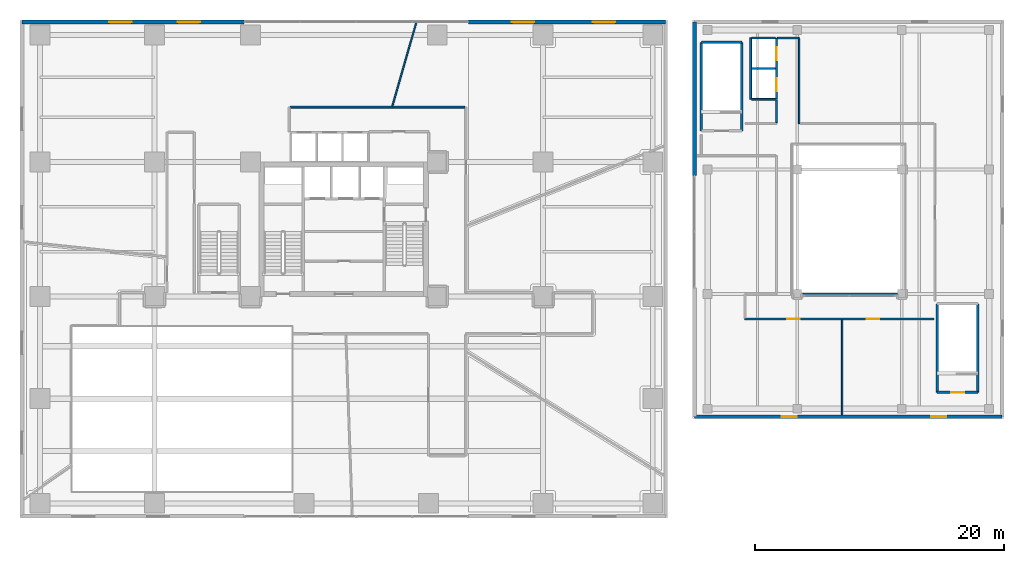
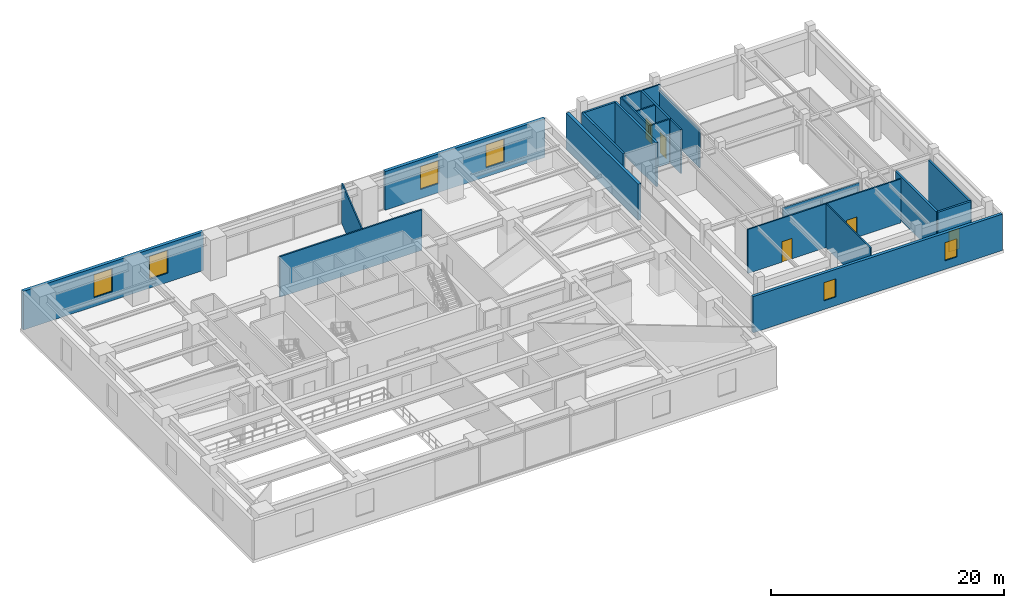
# One storey, part 20 of 25: 23 walls, 6 windows, 5 doors, 11 openings.
"""IFC4 building model written with IfcOpenShell, lengths in metres."""

from ifc_helpers import new_model, si_unit, direction, frame, frame_2d, origin, place, context, subcontext, project, spatial, rectangle, extrude, source, transform, mapped, material, layer, layer_set, type_object, type_shapes, element, fill, save


model = new_model("IFC4")

# Units and contexts
model_context = context("Model", 3, precision=1e-05, world=origin(), true_north=direction((0.0, 1.0)))
body_context = subcontext(model_context, "Body", "Model", "MODEL_VIEW")
ifc_project = project(units=[si_unit("LENGTHUNIT", "METRE"), si_unit("AREAUNIT", "SQUARE_METRE"), si_unit("VOLUMEUNIT", "CUBIC_METRE"), si_unit("PLANEANGLEUNIT", "RADIAN"), si_unit("MASSUNIT", "GRAM", prefix="KILO")], contexts=[model_context])

# Site, building, storey
site_placement = place(None, origin())
site = spatial("IfcSite", under=ifc_project, at=site_placement, CompositionType="ELEMENT")
building_placement = place(site_placement, origin())
building = spatial("IfcBuilding", under=site, at=building_placement, Name="Talar Marvaseh", CompositionType="ELEMENT")
storey_placement = place(building_placement, frame((0.0, 0.0, 14.39990234375)))
storey = spatial("IfcBuildingStorey", under=building, at=storey_placement, Name="L03", CompositionType="ELEMENT", Elevation=14.39990234375)

# Wall, openings, windows
ifc_material_1 = material(Name="Precast concrete C45/55", Category="concrete")
ifc_layer_1 = layer(ifc_material_1, 0.31005859375)
ifc_layer_set_1 = layer_set([ifc_layer_1], Name="Precast concrete C45/55")
wall_type_1 = type_object("IfcWallType", Name="Architectural Precast Limestone Podium Facade Wall 310", PredefinedType="SOLIDWALL", material=ifc_layer_set_1)
wall_1_placement = place(storey_placement, frame((0.159912109375, 47.840087890625, 0.0), z_axis=(0.0, 0.0, 1.0), x_axis=(1.0, 0.0, 0.0)))
wall_1 = element("IfcWall", 1, at=wall_1_placement, inside=storey, type_object=wall_type_1, Name="L03 Podium North-West Facade Wall", PredefinedType="SOLIDWALL", context=body_context, shape_type="SweptSolid", body=[
    extrude(rectangle(XDim=17.840087890625, YDim=0.31005859375, at=frame_2d((8.919921875, 0.0))), origin(), (0.0, 0.0, 1.0), 4.050048828125),
])
opening_1_placement = place(wall_1_placement, frame((7.0, 0.0, 0.949951171875)))
opening_1 = element("IfcOpeningElement", 2, at=opening_1_placement, cuts=wall_1, Name="Opening WN-POD18", PredefinedType="OPENING", context=body_context, shape_type="SweptSolid", body=[
    extrude(rectangle(XDim=1.800048828125, YDim=2.39990234375, at=frame_2d((0.89990234375, 1.199951171875))), frame((0.0, 0.1650390625, 0.0), z_axis=(0.0, -1.0, 0.0), x_axis=(1.0, 0.0, 0.0)), (0.0, 0.0, 1.0), 0.330078125),
])
opening_2_placement = place(wall_1_placement, frame((12.5, 0.0, 0.949951171875)))
opening_2 = element("IfcOpeningElement", 3, at=opening_2_placement, cuts=wall_1, Name="Opening WN-POD18", PredefinedType="OPENING", context=body_context, shape_type="SweptSolid", body=[
    extrude(rectangle(XDim=1.800048828125, YDim=2.39990234375, at=frame_2d((0.89990234375, 1.199951171875))), frame((0.0, 0.1650390625, 0.0), z_axis=(0.0, -1.0, 0.0), x_axis=(1.0, 0.0, 0.0)), (0.0, 0.0, 1.0), 0.330078125),
])
ifc_material_2 = material(Name="Laminated Low-E Solar Glass", Category="glass")
window_type_1 = type_object("IfcWindowType", Name="Podium Recessed Punched Solar Window 1800x2400", PartitioningType="SINGLE_PANEL", PredefinedType="WINDOW", material=ifc_material_2)
shared_shape_1 = source(origin(), body_context, "Body", "SweptSolid", [
    extrude(rectangle(XDim=1.800048828125, YDim=2.39990234375, at=frame_2d((0.89990234375, 1.199951171875))), frame((0.0, 0.030029296875, 0.0), z_axis=(0.0, -1.0, 0.0), x_axis=(1.0, 0.0, 0.0)), (0.0, 0.0, 1.0), 0.06005859375),
])
type_shapes(window_type_1, [shared_shape_1])
window_1_placement = place(opening_1_placement, origin())
window_1 = element("IfcWindow", 4, at=window_1_placement, inside=storey, type_object=window_type_1, Name="L03 Podium Solar Window", OverallHeight=2.39990234375, OverallWidth=1.800048828125, PartitioningType="SINGLE_PANEL", PredefinedType="WINDOW", context=body_context, shape_type="MappedRepresentation", body=[
    mapped(shared_shape_1, transform((0.0, 0.0, 0.0), x_axis=(1.0, 0.0, 0.0), y_axis=(0.0, 1.0, 0.0), z_axis=(0.0, 0.0, 1.0), scale=1.0)),
])
fill(opening_1, window_1)
window_2_placement = place(opening_2_placement, origin())
window_2 = element("IfcWindow", 5, at=window_2_placement, inside=storey, type_object=window_type_1, Name="L03 Podium Solar Window", OverallHeight=2.39990234375, OverallWidth=1.800048828125, PartitioningType="SINGLE_PANEL", PredefinedType="WINDOW", context=body_context, shape_type="MappedRepresentation", body=[
    mapped(shared_shape_1, transform((0.0, 0.0, 0.0), x_axis=(1.0, 0.0, 0.0), y_axis=(0.0, 1.0, 0.0), z_axis=(0.0, 0.0, 1.0), scale=1.0)),
])
fill(opening_2, window_2)

wall_2_placement = place(storey_placement, frame((36.0, 47.840087890625, 0.0), z_axis=(0.0, 0.0, 1.0), x_axis=(1.0, 0.0, 0.0)))
wall_2 = element("IfcWall", 6, at=wall_2_placement, inside=storey, type_object=wall_type_1, Name="L03 Podium North-East Facade Wall", PredefinedType="SOLIDWALL", context=body_context, shape_type="SweptSolid", body=[
    extrude(rectangle(XDim=15.840087890625, YDim=0.31005859375, at=frame_2d((7.919921875, 0.0))), origin(), (0.0, 0.0, 1.0), 4.050048828125),
])
opening_3_placement = place(wall_2_placement, frame((3.5, 0.0, 0.949951171875)))
opening_3 = element("IfcOpeningElement", 7, at=opening_3_placement, cuts=wall_2, Name="Opening WN-POD18", PredefinedType="OPENING", context=body_context, shape_type="SweptSolid", body=[
    extrude(rectangle(XDim=1.800048828125, YDim=2.39990234375, at=frame_2d((0.89990234375, 1.199951171875))), frame((0.0, 0.1650390625, 0.0), z_axis=(0.0, -1.0, 0.0), x_axis=(1.0, 0.0, 0.0)), (0.0, 0.0, 1.0), 0.330078125),
])
opening_4_placement = place(wall_2_placement, frame((10.0, 0.0, 0.949951171875)))
opening_4 = element("IfcOpeningElement", 8, at=opening_4_placement, cuts=wall_2, Name="Opening WN-POD18", PredefinedType="OPENING", context=body_context, shape_type="SweptSolid", body=[
    extrude(rectangle(XDim=1.800048828125, YDim=2.39990234375, at=frame_2d((0.89990234375, 1.199951171875))), frame((0.0, 0.1650390625, 0.0), z_axis=(0.0, -1.0, 0.0), x_axis=(1.0, 0.0, 0.0)), (0.0, 0.0, 1.0), 0.330078125),
])
window_3_placement = place(opening_3_placement, origin())
window_3 = element("IfcWindow", 9, at=window_3_placement, inside=storey, type_object=window_type_1, Name="L03 Podium Solar Window", OverallHeight=2.39990234375, OverallWidth=1.800048828125, PartitioningType="SINGLE_PANEL", PredefinedType="WINDOW", context=body_context, shape_type="MappedRepresentation", body=[
    mapped(shared_shape_1, transform((0.0, 0.0, 0.0), x_axis=(1.0, 0.0, 0.0), y_axis=(0.0, 1.0, 0.0), z_axis=(0.0, 0.0, 1.0), scale=1.0)),
])
fill(opening_3, window_3)
window_4_placement = place(opening_4_placement, origin())
window_4 = element("IfcWindow", 10, at=window_4_placement, inside=storey, type_object=window_type_1, Name="L03 Podium Solar Window", OverallHeight=2.39990234375, OverallWidth=1.800048828125, PartitioningType="SINGLE_PANEL", PredefinedType="WINDOW", context=body_context, shape_type="MappedRepresentation", body=[
    mapped(shared_shape_1, transform((0.0, 0.0, 0.0), x_axis=(1.0, 0.0, 0.0), y_axis=(0.0, 1.0, 0.0), z_axis=(0.0, 0.0, 1.0), scale=1.0)),
])
fill(opening_4, window_4)

# Walls
ifc_material_3 = material(Name="Gypsum Board Partition Assembly")
ifc_layer_2 = layer(ifc_material_3, 0.155029296875)
ifc_layer_set_2 = layer_set([ifc_layer_2], Name="Gypsum Board Partition Assembly")
wall_type_2 = type_object("IfcWallType", Name="Corridor Fire-Rated Acoustic Partition 155", PredefinedType="PARTITIONING", material=ifc_layer_set_2)
wall_3_placement = place(storey_placement, frame((21.68359375, 41.0, 0.0), z_axis=(0.0, 0.0, 1.0), x_axis=(1.0, 0.0, 0.0)))
element("IfcWall", 11, at=wall_3_placement, inside=storey, type_object=wall_type_2, Name="L03 Interior Partition Wall", PredefinedType="PARTITIONING", context=body_context, shape_type="SweptSolid", body=[
    extrude(rectangle(XDim=14.032958984375, YDim=0.155029296875, at=frame_2d((7.0166015625, 0.0))), origin(), (0.0, 0.0, 1.0), 4.25),
])
ifc_layer_3 = layer(ifc_material_3, 0.1201171875)
ifc_layer_set_3 = layer_set([ifc_layer_3], Name="Gypsum Board Partition Assembly")
wall_type_3 = type_object("IfcWallType", Name="Demountable Studio Room Partition 120", PredefinedType="PARTITIONING", material=ifc_layer_set_3)
wall_4_placement = place(storey_placement, frame((29.887939453125, 41.0625, 0.0), z_axis=(0.0, 0.0, 1.0), x_axis=(0.275863681282, 0.961196769319, 0.0)))
element("IfcWall", 12, at=wall_4_placement, inside=storey, type_object=wall_type_3, Name="L03 Interior Partition Wall", PredefinedType="PARTITIONING", context=body_context, shape_type="SweptSolid", body=[
    extrude(rectangle(XDim=7.026123046875, YDim=0.1201171875, at=frame_2d((3.51318359375, 0.0))), origin(), (0.0, 0.0, 1.0), 4.25),
])
wall_5_placement = place(storey_placement, frame((66.0, 23.93505859375, 0.0), z_axis=(0.0, 0.0, 1.0), x_axis=(0.0, -1.0, 0.0)))
element("IfcWall", 13, at=wall_5_placement, inside=storey, type_object=wall_type_3, Name="L03 Interior Partition Wall", PredefinedType="PARTITIONING", context=body_context, shape_type="SweptSolid", body=[
    extrude(rectangle(XDim=7.635009765625, YDim=0.1201171875, at=frame_2d((3.8173828125, 0.0))), origin(), (0.0, 0.0, 1.0), 4.60009765625),
])
ifc_layer_4 = layer(ifc_material_1, 0.14501953125)
ifc_layer_set_4 = layer_set([ifc_layer_4], Name="Precast concrete C45/55")
wall_type_4 = type_object("IfcWallType", Name="Fire-Rated Lift Divider Wall 145", PredefinedType="SOLIDWALL", material=ifc_layer_set_4)
wall_6_placement = place(storey_placement, frame((58.659912109375, 41.639892578125, 0.0), z_axis=(0.0, 0.0, 1.0), x_axis=(0.0, 1.0, 0.0)))
element("IfcWall", 14, at=wall_6_placement, inside=storey, type_object=wall_type_4, Name="L03 Market Lift Back Wall", PredefinedType="SOLIDWALL", context=body_context, shape_type="SweptSolid", body=[
    extrude(rectangle(XDim=4.920166015625, YDim=0.14501953125, at=frame_2d((2.4599609375, 0.0))), origin(), (0.0, 0.0, 1.0), 4.60009765625),
])
wall_7_placement = place(storey_placement, frame((58.738525390625, 44.10009765625, 0.0), z_axis=(0.0, 0.0, 1.0), x_axis=(1.0, 0.0, 0.0)))
element("IfcWall", 15, at=wall_7_placement, inside=storey, type_object=wall_type_4, Name="L03 Market Lift Divider", PredefinedType="SOLIDWALL", context=body_context, shape_type="SweptSolid", body=[
    extrude(rectangle(XDim=1.907958984375, YDim=0.14501953125, at=frame_2d((0.9541015625, 0.0))), origin(), (0.0, 0.0, 1.0), 4.60009765625),
])
for number, where, z_axis, x_axis, name in (
    (16, (58.739990234375, 41.639892578125, 0.0), (0.0, 0.0, 1.0), (1.0, 0.0, 0.0), "L03 Market Lift South End Wall"),
    (17, (58.739990234375, 46.56005859375, 0.0), (0.0, 0.0, 1.0), (1.0, 0.0, 0.0), "L03 Market Lift North End Wall"),
):
    element("IfcWall", number, at=place(storey_placement, frame(where, z_axis=z_axis, x_axis=x_axis)), inside=storey, type_object=wall_type_4, Name=name, PredefinedType="SOLIDWALL", context=body_context, shape_type="SweptSolid", body=[
        extrude(rectangle(XDim=1.909912109375, YDim=0.14501953125, at=frame_2d((0.955078125, 0.0))), origin(), (0.0, 0.0, 1.0), 4.60009765625),
    ])

# Wall, openings, doors
ifc_layer_5 = layer(ifc_material_1, 0.175048828125)
ifc_layer_set_5 = layer_set([ifc_layer_5], Name="Precast concrete C45/55")
wall_type_5 = type_object("IfcWallType", Name="Fire-Rated Lift Hoistway Enclosure Wall 175", PredefinedType="SOLIDWALL", material=ifc_layer_set_5)
wall_8_placement = place(storey_placement, frame((60.739990234375, 41.639892578125, 0.0), z_axis=(0.0, 0.0, 1.0), x_axis=(0.0, 1.0, 0.0)))
wall_8 = element("IfcWall", 18, at=wall_8_placement, inside=storey, type_object=wall_type_5, Name="L03 Market Lift Bank Front Wall", PredefinedType="SOLIDWALL", context=body_context, shape_type="SweptSolid", body=[
    extrude(rectangle(XDim=4.920166015625, YDim=0.175048828125, at=frame_2d((2.4599609375, 0.0))), origin(), (0.0, 0.0, 1.0), 4.60009765625),
])
opening_5_placement = place(wall_8_placement, frame((0.64990234375, 0.0, 0.0)))
opening_5 = element("IfcOpeningElement", 19, at=opening_5_placement, cuts=wall_8, Name="Opening LD-MHE1", PredefinedType="OPENING", context=body_context, shape_type="SweptSolid", body=[
    extrude(rectangle(XDim=1.050048828125, YDim=2.14990234375, at=frame_2d((0.52490234375, 1.074951171875))), frame((0.0, 0.09765625, 0.0), z_axis=(0.0, -1.0, 0.0), x_axis=(1.0, 0.0, 0.0)), (0.0, 0.0, 1.0), 0.195068359375),
])
opening_6_placement = place(wall_8_placement, frame((3.1201171875, 0.0, 0.0)))
opening_6 = element("IfcOpeningElement", 20, at=opening_6_placement, cuts=wall_8, Name="Opening LD-MHE2", PredefinedType="OPENING", context=body_context, shape_type="SweptSolid", body=[
    extrude(rectangle(XDim=1.050048828125, YDim=2.14990234375, at=frame_2d((0.52490234375, 1.074951171875))), frame((0.0, 0.09765625, 0.0), z_axis=(0.0, -1.0, 0.0), x_axis=(1.0, 0.0, 0.0)), (0.0, 0.0, 1.0), 0.195068359375),
])
ifc_material_4 = material(Name="Stainless Steel Grade 316", Category="steel")
door_type_1 = type_object("IfcDoorType", Name="Automatic Sliding Lift Landing Door 1050x2150", OperationType="NOTDEFINED", PredefinedType="DOOR", material=ifc_material_4)
shared_shape_2 = source(origin(), body_context, "Body", "SweptSolid", [
    extrude(rectangle(XDim=1.050048828125, YDim=2.14990234375, at=frame_2d((0.52490234375, 1.074951171875))), frame((0.0, 0.02490234375, 0.0), z_axis=(0.0, -1.0, 0.0), x_axis=(1.0, 0.0, 0.0)), (0.0, 0.0, 1.0), 0.050048828125),
])
type_shapes(door_type_1, [shared_shape_2])
door_1_placement = place(opening_5_placement, origin())
door_1 = element("IfcDoor", 21, at=door_1_placement, inside=storey, type_object=door_type_1, Name="L03 Lift MH-EL2 Sliding Landing Door", OperationType="SLIDING_TO_LEFT", OverallHeight=2.14990234375, OverallWidth=1.050048828125, PredefinedType="DOOR", context=body_context, shape_type="MappedRepresentation", body=[
    mapped(shared_shape_2, transform((0.0, 0.0, 0.0), x_axis=(1.0, 0.0, 0.0), y_axis=(0.0, 1.0, 0.0), z_axis=(0.0, 0.0, 1.0), scale=1.0)),
])
fill(opening_5, door_1)
door_2_placement = place(opening_6_placement, origin())
door_2 = element("IfcDoor", 22, at=door_2_placement, inside=storey, type_object=door_type_1, Name="L03 Lift MH-EL1 Sliding Landing Door", OperationType="SLIDING_TO_LEFT", OverallHeight=2.14990234375, OverallWidth=1.050048828125, PredefinedType="DOOR", context=body_context, shape_type="MappedRepresentation", body=[
    mapped(shared_shape_2, transform((0.0, 0.0, 0.0), x_axis=(1.0, 0.0, 0.0), y_axis=(0.0, 1.0, 0.0), z_axis=(0.0, 0.0, 1.0), scale=1.0)),
])
fill(opening_6, door_2)

ifc_layer_6 = layer(ifc_material_3, 0.135009765625)
ifc_layer_set_6 = layer_set([ifc_layer_6], Name="Gypsum Board Partition Assembly")
wall_type_6 = type_object("IfcWallType", Name="Gallery High-Acoustic Partition 135", PredefinedType="PARTITIONING", material=ifc_layer_set_6)
wall_9_placement = place(storey_placement, frame((73.3798828125, 24.0, 0.0), z_axis=(0.0, 0.0, 1.0), x_axis=(-1.0, 0.0, 0.0)))
wall_9 = element("IfcWall", 23, at=wall_9_placement, inside=storey, type_object=wall_type_6, Name="L03 Interior Partition Wall", PredefinedType="PARTITIONING", context=body_context, shape_type="SweptSolid", body=[
    extrude(rectangle(XDim=15.179931640625, YDim=0.135009765625, at=frame_2d((7.58984375, 0.0))), origin(), (0.0, 0.0, 1.0), 4.60009765625),
])
opening_7_placement = place(wall_9_placement, frame((10.780029296875, 0.0, 0.0)))
opening_7 = element("IfcOpeningElement", 24, at=opening_7_placement, cuts=wall_9, Name="Opening DR-RM100", PredefinedType="OPENING", context=body_context, shape_type="SweptSolid", body=[
    extrude(rectangle(XDim=1.0, YDim=2.14990234375, at=frame_2d((0.5, 1.074951171875))), frame((0.0, 0.07763671875, 0.0), z_axis=(0.0, -1.0, 0.0), x_axis=(1.0, 0.0, 0.0)), (0.0, 0.0, 1.0), 0.155029296875),
])
opening_8_placement = place(wall_9_placement, frame((4.3798828125, 0.0, 0.0)))
opening_8 = element("IfcOpeningElement", 25, at=opening_8_placement, cuts=wall_9, Name="Opening DR-RM100", PredefinedType="OPENING", context=body_context, shape_type="SweptSolid", body=[
    extrude(rectangle(XDim=1.0, YDim=2.14990234375, at=frame_2d((0.5, 1.074951171875))), frame((0.0, 0.07763671875, 0.0), z_axis=(0.0, -1.0, 0.0), x_axis=(1.0, 0.0, 0.0)), (0.0, 0.0, 1.0), 0.155029296875),
])
ifc_material_5 = material(Name="Acoustic Engineered Oak Timber", Category="wood")
door_type_2 = type_object("IfcDoorType", Name="Corridor Fire-Rated Gallery Door 1000x2150", OperationType="NOTDEFINED", PredefinedType="DOOR", material=ifc_material_5)
shared_shape_3 = source(origin(), body_context, "Body", "SweptSolid", [
    extrude(rectangle(XDim=1.0, YDim=2.14990234375, at=frame_2d((0.5, 1.074951171875))), frame((0.0, 0.02490234375, 0.0), z_axis=(0.0, -1.0, 0.0), x_axis=(1.0, 0.0, 0.0)), (0.0, 0.0, 1.0), 0.050048828125),
])
type_shapes(door_type_2, [shared_shape_3])
door_3_placement = place(opening_7_placement, origin())
door_3 = element("IfcDoor", 26, at=door_3_placement, inside=storey, type_object=door_type_2, Name="L03 Calligraphy Book Bazaar Door", OperationType="SINGLE_SWING_LEFT", OverallHeight=2.14990234375, OverallWidth=1.0, PredefinedType="DOOR", context=body_context, shape_type="MappedRepresentation", body=[
    mapped(shared_shape_3, transform((0.0, 0.0, 0.0), x_axis=(1.0, 0.0, 0.0), y_axis=(0.0, 1.0, 0.0), z_axis=(0.0, 0.0, 1.0), scale=1.0)),
])
fill(opening_7, door_3)
door_4_placement = place(opening_8_placement, origin())
door_4 = element("IfcDoor", 27, at=door_4_placement, inside=storey, type_object=door_type_2, Name="L03 WC Market Public and Accessible Toilets Door", OperationType="SINGLE_SWING_RIGHT", OverallHeight=2.14990234375, OverallWidth=1.0, PredefinedType="DOOR", context=body_context, shape_type="MappedRepresentation", body=[
    mapped(shared_shape_3, transform((0.0, 0.0, 0.0), x_axis=(1.0, 0.0, 0.0), y_axis=(0.0, 1.0, 0.0), z_axis=(0.0, 0.0, 1.0), scale=1.0)),
])
fill(opening_8, door_4)

# Walls
wall_10_placement = place(storey_placement, frame((60.739990234375, 39.75341796875, 0.0), z_axis=(0.0, 0.0, 1.0), x_axis=(0.0, 1.0, 0.0)))
element("IfcWall", 28, at=wall_10_placement, inside=storey, type_object=wall_type_6, Name="L03 Interior Partition Wall", PredefinedType="PARTITIONING", context=body_context, shape_type="SweptSolid", body=[
    extrude(rectangle(XDim=1.836669921875, YDim=0.135009765625, at=frame_2d((0.91845703125, 0.0))), origin(), (0.0, 0.0, 1.0), 4.60009765625),
])
wall_11_placement = place(storey_placement, frame((60.80908203125, 46.550048828125, 0.0), z_axis=(0.0, 0.0, 1.0), x_axis=(1.0, 0.0, 0.0)))
element("IfcWall", 29, at=wall_11_placement, inside=storey, type_object=wall_type_6, Name="L03 Interior Partition Wall", PredefinedType="PARTITIONING", context=body_context, shape_type="SweptSolid", body=[
    extrude(rectangle(XDim=1.740966796875, YDim=0.135009765625, at=frame_2d((0.87060546875, 0.0))), origin(), (0.0, 0.0, 1.0), 4.60009765625),
])
wall_12_placement = place(storey_placement, frame((62.550048828125, 46.4765625, 0.0), z_axis=(0.0, 0.0, 1.0), x_axis=(0.0, -1.0, 0.0)))
element("IfcWall", 30, at=wall_12_placement, inside=storey, type_object=wall_type_6, Name="L03 Interior Partition Wall", PredefinedType="PARTITIONING", context=body_context, shape_type="SweptSolid", body=[
    extrude(rectangle(XDim=6.796630859375, YDim=0.135009765625, at=frame_2d((3.3984375, 0.0))), origin(), (0.0, 0.0, 1.0), 4.031005859375),
])
wall_13_placement = place(storey_placement, frame((62.83837890625, 26.0, 0.0), z_axis=(0.0, 0.0, 1.0), x_axis=(1.0, 0.0, 0.0)))
element("IfcWall", 31, at=wall_13_placement, inside=storey, type_object=wall_type_6, Name="L03 Interior Partition Wall", PredefinedType="PARTITIONING", context=body_context, shape_type="SweptSolid", body=[
    extrude(rectangle(XDim=7.5966796875, YDim=0.135009765625, at=frame_2d((3.79833984375, 0.0))), origin(), (0.0, 0.0, 1.0), 4.031005859375),
])

# Wall, openings, windows
ifc_layer_7 = layer(ifc_material_1, 0.2900390625)
ifc_layer_set_7 = layer_set([ifc_layer_7], Name="Precast concrete C45/55")
wall_type_7 = type_object("IfcWallType", Name="Market Hall Precast Limestone Bazaar Wall 290", PredefinedType="SOLIDWALL", material=ifc_layer_set_7)
wall_14_placement = place(storey_placement, frame((78.85009765625, 16.14990234375, 0.0), z_axis=(0.0, 0.0, 1.0), x_axis=(-1.0, 0.0, 0.0)))
wall_14 = element("IfcWall", 32, at=wall_14_placement, inside=storey, type_object=wall_type_7, Name="L03 Market Hall South Forecourt Wall", PredefinedType="SOLIDWALL", context=body_context, shape_type="SweptSolid", body=[
    extrude(rectangle(XDim=24.7001953125, YDim=0.2900390625, at=frame_2d((12.35009765625, 0.0))), origin(), (0.0, 0.0, 1.0), 3.800048828125),
])
opening_9_placement = place(wall_14_placement, frame((4.5, 0.0, 0.89990234375)))
opening_9 = element("IfcOpeningElement", 33, at=opening_9_placement, cuts=wall_14, Name="Opening WN-MKT12", PredefinedType="OPENING", context=body_context, shape_type="SweptSolid", body=[
    extrude(rectangle(XDim=1.199951171875, YDim=1.89990234375, at=frame_2d((0.60009765625, 0.949951171875))), frame((0.0, 0.155029296875, 0.0), z_axis=(0.0, -1.0, 0.0), x_axis=(1.0, 0.0, 0.0)), (0.0, 0.0, 1.0), 0.31005859375),
])
opening_10_placement = place(wall_14_placement, frame((16.5, 0.0, 0.89990234375)))
opening_10 = element("IfcOpeningElement", 34, at=opening_10_placement, cuts=wall_14, Name="Opening WN-MKT12", PredefinedType="OPENING", context=body_context, shape_type="SweptSolid", body=[
    extrude(rectangle(XDim=1.199951171875, YDim=1.89990234375, at=frame_2d((0.60009765625, 0.949951171875))), frame((0.0, 0.155029296875, 0.0), z_axis=(0.0, -1.0, 0.0), x_axis=(1.0, 0.0, 0.0)), (0.0, 0.0, 1.0), 0.31005859375),
])
window_type_2 = type_object("IfcWindowType", Name="Market Hall Upper Gallery Window 1200x1900", PartitioningType="SINGLE_PANEL", PredefinedType="WINDOW", material=ifc_material_2)
shared_shape_4 = source(origin(), body_context, "Body", "SweptSolid", [
    extrude(rectangle(XDim=1.199951171875, YDim=1.89990234375, at=frame_2d((0.60009765625, 0.949951171875))), frame((0.0, 0.030029296875, 0.0), z_axis=(0.0, -1.0, 0.0), x_axis=(1.0, 0.0, 0.0)), (0.0, 0.0, 1.0), 0.06005859375),
])
type_shapes(window_type_2, [shared_shape_4])
window_5_placement = place(opening_9_placement, origin())
window_5 = element("IfcWindow", 35, at=window_5_placement, inside=storey, type_object=window_type_2, Name="L03 Market Bazaar Window", OverallHeight=1.89990234375, OverallWidth=1.199951171875, PartitioningType="SINGLE_PANEL", PredefinedType="WINDOW", context=body_context, shape_type="MappedRepresentation", body=[
    mapped(shared_shape_4, transform((0.0, 0.0, 0.0), x_axis=(1.0, 0.0, 0.0), y_axis=(0.0, 1.0, 0.0), z_axis=(0.0, 0.0, 1.0), scale=1.0)),
])
fill(opening_9, window_5)
window_6_placement = place(opening_10_placement, origin())
window_6 = element("IfcWindow", 36, at=window_6_placement, inside=storey, type_object=window_type_2, Name="L03 Market Bazaar Window", OverallHeight=1.89990234375, OverallWidth=1.199951171875, PartitioningType="SINGLE_PANEL", PredefinedType="WINDOW", context=body_context, shape_type="MappedRepresentation", body=[
    mapped(shared_shape_4, transform((0.0, 0.0, 0.0), x_axis=(1.0, 0.0, 0.0), y_axis=(0.0, 1.0, 0.0), z_axis=(0.0, 0.0, 1.0), scale=1.0)),
])
fill(opening_10, window_6)

# Walls
wall_15_placement = place(storey_placement, frame((54.14990234375, 35.5, 0.0), z_axis=(0.0, 0.0, 1.0), x_axis=(0.0, 1.0, 0.0)))
element("IfcWall", 37, at=wall_15_placement, inside=storey, type_object=wall_type_7, Name="L03 Market Hall West-North Wall", PredefinedType="SOLIDWALL", context=body_context, shape_type="SweptSolid", body=[
    extrude(rectangle(XDim=12.35009765625, YDim=0.2900390625, at=frame_2d((6.175048828125, 0.0))), origin(), (0.0, 0.0, 1.0), 3.800048828125),
])
ifc_material_6 = material(Name="Concrete C50/60", Category="concrete")
ifc_layer_8 = layer(ifc_material_6, 0.199951171875)
ifc_layer_set_8 = layer_set([ifc_layer_8], Name="Concrete C50/60")
wall_type_8 = type_object("IfcWallType", Name="Stair Shaft Structural Concrete Shear Wall 200", PredefinedType="SHEAR", material=ifc_layer_set_8)
wall_16_placement = place(storey_placement, frame((54.699951171875, 46.199951171875, 0.0), z_axis=(0.0, 0.0, 1.0), x_axis=(1.0, 0.0, 0.0)))
element("IfcWall", 38, at=wall_16_placement, inside=storey, type_object=wall_type_8, Name="L03 MH-ST1 North Shear Wall", PredefinedType="SHEAR", context=body_context, shape_type="SweptSolid", body=[
    extrude(rectangle(XDim=3.260009765625, YDim=0.199951171875, at=frame_2d((1.6298828125, 0.0))), origin(), (0.0, 0.0, 1.0), 4.60009765625),
])
for number, where, z_axis, x_axis, name in (
    (39, (54.699951171875, 39.10009765625, 0.0), (0.0, 0.0, 1.0), (0.0, 1.0, 0.0), "L03 MH-ST1 West Shear Wall"),
    (40, (57.9599609375, 39.10009765625, 0.0), (0.0, 0.0, 1.0), (0.0, 1.0, 0.0), "L03 MH-ST1 East Shear Wall"),
):
    element("IfcWall", number, at=place(storey_placement, frame(where, z_axis=z_axis, x_axis=x_axis)), inside=storey, type_object=wall_type_8, Name=name, PredefinedType="SHEAR", context=body_context, shape_type="SweptSolid", body=[
        extrude(rectangle(XDim=7.099853515625, YDim=0.199951171875, at=frame_2d((3.5498046875, 0.0))), origin(), (0.0, 0.0, 1.0), 4.60009765625),
    ])

# Wall, opening, door
wall_17_placement = place(storey_placement, frame((76.89990234375, 18.10009765625, 0.0), z_axis=(0.0, 0.0, 1.0), x_axis=(-1.0, 0.0, 0.0)))
wall_17 = element("IfcWall", 41, at=wall_17_placement, inside=storey, type_object=wall_type_8, Name="L03 MH-ST2 South Shear Wall", PredefinedType="SHEAR", context=body_context, shape_type="SweptSolid", body=[
    extrude(rectangle(XDim=3.260009765625, YDim=0.199951171875, at=frame_2d((1.6298828125, 0.0))), origin(), (0.0, 0.0, 1.0), 4.60009765625),
])
opening_11_placement = place(wall_17_placement, frame((1.10009765625, 0.0, 0.0)))
opening_11 = element("IfcOpeningElement", 42, at=opening_11_placement, cuts=wall_17, Name="Opening DR-ST105", PredefinedType="OPENING", context=body_context, shape_type="SweptSolid", body=[
    extrude(rectangle(XDim=1.050048828125, YDim=2.14990234375, at=frame_2d((0.52490234375, 1.074951171875))), frame((0.0, 0.10986328125, 0.0), z_axis=(0.0, -1.0, 0.0), x_axis=(1.0, 0.0, 0.0)), (0.0, 0.0, 1.0), 0.219970703125),
])
ifc_material_7 = material(Name="Fire-Rated Steel Door Leaf", Category="steel")
door_type_3 = type_object("IfcDoorType", Name="Protected Exit Stair Fire Door 1050x2150", OperationType="NOTDEFINED", PredefinedType="DOOR", material=ifc_material_7)
shared_shape_5 = source(origin(), body_context, "Body", "SweptSolid", [
    extrude(rectangle(XDim=1.050048828125, YDim=2.14990234375, at=frame_2d((0.52490234375, 1.074951171875))), frame((0.0, 0.02490234375, 0.0), z_axis=(0.0, -1.0, 0.0), x_axis=(1.0, 0.0, 0.0)), (0.0, 0.0, 1.0), 0.050048828125),
])
type_shapes(door_type_3, [shared_shape_5])
door_5_placement = place(opening_11_placement, origin())
door_5 = element("IfcDoor", 43, at=door_5_placement, inside=storey, type_object=door_type_3, Name="L03 MH-ST2 Exit Door", OperationType="SINGLE_SWING_LEFT", OverallHeight=2.14990234375, OverallWidth=1.050048828125, PredefinedType="DOOR", context=body_context, shape_type="MappedRepresentation", body=[
    mapped(shared_shape_5, transform((0.0, 0.0, 0.0), x_axis=(1.0, 0.0, 0.0), y_axis=(0.0, 1.0, 0.0), z_axis=(0.0, 0.0, 1.0), scale=1.0)),
])
fill(opening_11, door_5)

# Walls
for number, where, z_axis, x_axis, name in (
    (44, (73.639892578125, 18.10009765625, 0.0), (0.0, 0.0, 1.0), (0.0, 1.0, 0.0), "L03 MH-ST2 West Shear Wall"),
    (45, (76.89990234375, 18.10009765625, 0.0), (0.0, 0.0, 1.0), (0.0, 1.0, 0.0), "L03 MH-ST2 East Shear Wall"),
):
    element("IfcWall", number, at=place(storey_placement, frame(where, z_axis=z_axis, x_axis=x_axis)), inside=storey, type_object=wall_type_8, Name=name, PredefinedType="SHEAR", context=body_context, shape_type="SweptSolid", body=[
        extrude(rectangle(XDim=7.099853515625, YDim=0.199951171875, at=frame_2d((3.5498046875, 0.0))), origin(), (0.0, 0.0, 1.0), 4.60009765625),
    ])

save(model, "model.ifc")
